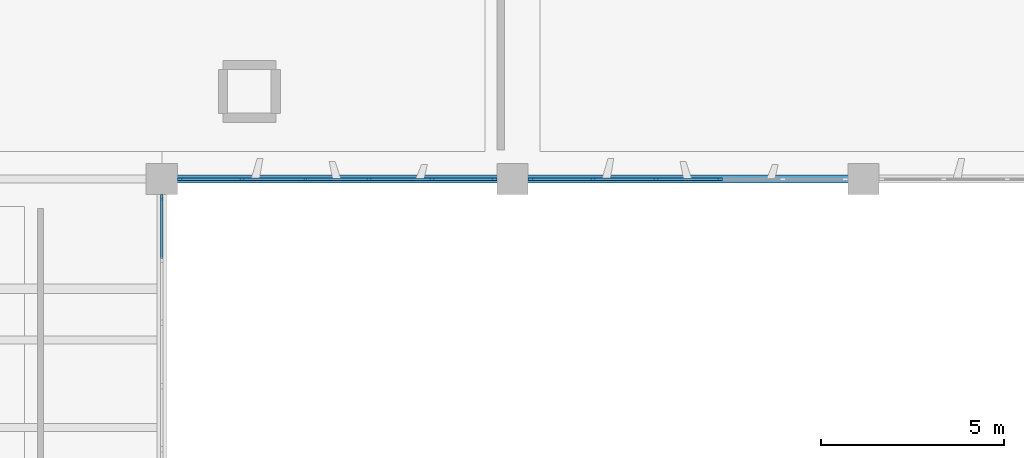
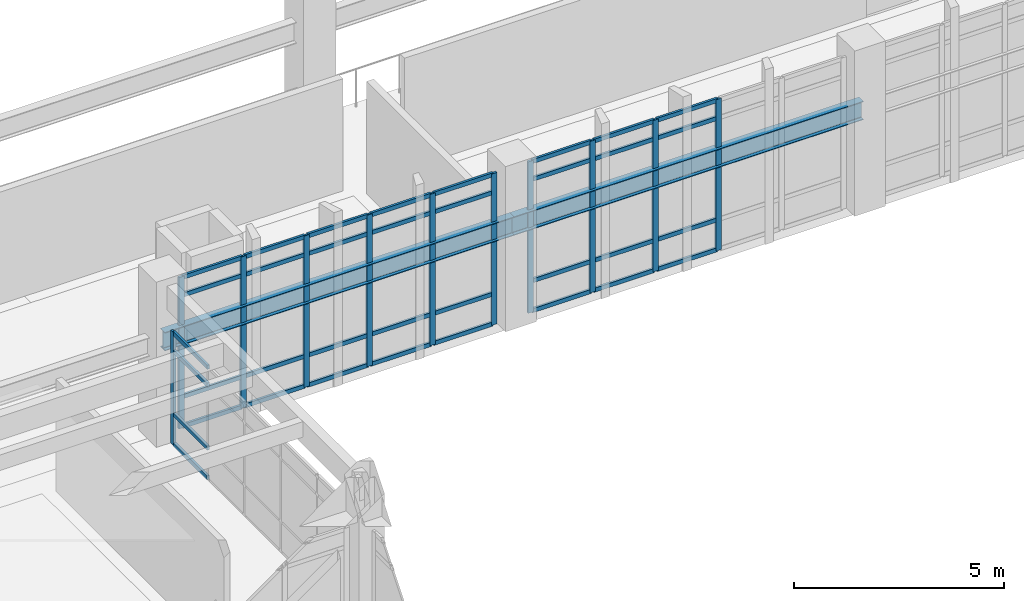
# One storey, part 23 of 86: 47 members, 2 beams, 3 elements without a shape of their own.
"""IFC4 building model written with IfcOpenShell, lengths in metres."""

from ifc_helpers import new_model, si_unit, direction, frame, origin, origin_2d, place, context, subcontext, project, spatial, rectangle, i_section, extrude, material, layer, layer_set, material_profile, profile_set, type_object, element, aggregate, save


model = new_model("IFC4")

# Units and contexts
model_context = context("Model", 3, precision=1e-05, world=origin(), true_north=direction((0.0, 1.0)))
body_context = subcontext(model_context, "Body", "Model", "MODEL_VIEW")
ifc_project = project(units=[si_unit("LENGTHUNIT", "METRE"), si_unit("AREAUNIT", "SQUARE_METRE"), si_unit("VOLUMEUNIT", "CUBIC_METRE"), si_unit("PLANEANGLEUNIT", "RADIAN"), si_unit("MASSUNIT", "GRAM", prefix="KILO")], contexts=[model_context])

# Site, building, storey
site_placement = place(None, origin())
site = spatial("IfcSite", under=ifc_project, at=site_placement, CompositionType="ELEMENT")
building_placement = place(site_placement, origin())
building = spatial("IfcBuilding", under=site, at=building_placement, Name="Kolvemor Railside Polytechnic", CompositionType="ELEMENT")
storey_placement = place(building_placement, frame((0.0, 0.0, 5.39990234375)))
storey = spatial("IfcBuildingStorey", under=building, at=storey_placement, Name="L01", CompositionType="ELEMENT", Elevation=5.39990234375)

# Beams
ifc_material_1 = material(Name="Steel S355", Category="steel")
ifc_material_profile_1 = material_profile(ifc_material_1, i_section(OverallWidth=0.2109375, OverallDepth=0.5390625, WebThickness=0.01171875, FlangeThickness=0.018798828125, FilletRadius=0.013916015625, at=origin_2d()), Name="W530x109")
ifc_profile_set_1 = profile_set([ifc_material_profile_1], Name="Steel S355")
beam_type = type_object("IfcBeamType", Name="BM-ST-CRANE2", PredefinedType="BEAM", material=ifc_profile_set_1)
beam_1_placement = place(storey_placement, frame((48.0, 91.199951171875, 2.730712890625), z_axis=(1.0, 0.0, 0.0), x_axis=(0.0, 1.0, 0.0)))
element("IfcBeam", 1, at=beam_1_placement, inside=storey, type_object=beam_type, Name="Workshop Header Steel Girder CRG-G04", PredefinedType="BEAM", context=body_context, shape_type="SweptSolid", body=[
    extrude(i_section(OverallWidth=0.2109375, OverallDepth=0.5390625, WebThickness=0.01171875, FlangeThickness=0.018798828125, FilletRadius=0.013916015625, at=origin_2d()), origin(), (0.0, 0.0, 1.0), 9.60009765625),
])
beam_2_placement = place(storey_placement, frame((57.60009765625, 91.199951171875, 2.730712890625), z_axis=(1.0, 0.0, 0.0), x_axis=(0.0, 1.0, 0.0)))
element("IfcBeam", 2, at=beam_2_placement, inside=storey, type_object=beam_type, Name="Workshop Header Steel Girder CRG-G05", PredefinedType="BEAM", context=body_context, shape_type="SweptSolid", body=[
    extrude(i_section(OverallWidth=0.2109375, OverallDepth=0.5390625, WebThickness=0.01171875, FlangeThickness=0.018798828125, FilletRadius=0.013916015625, at=origin_2d()), origin(), (0.0, 0.0, 1.0), 9.599853515625),
])

# Curtain wall, members
ifc_material_2 = material(Name="Anodised marine aluminium and laminated low-E glass", Category="aluminium")
ifc_layer_1 = layer(ifc_material_2, 0.179931640625, Name="CW-UNIT-WKS")
ifc_layer_set_1 = layer_set([ifc_layer_1], Name="Anodised marine aluminium and laminated low-E glass")
curtain_wall_type_1 = type_object("IfcCurtainWallType", Name="CW-UNIT-WKS", PredefinedType="USERDEFINED", material=ifc_layer_set_1)
curtain_wall_1_placement = place(storey_placement, origin())
curtain_wall_1 = element("IfcCurtainWall", 3, at=curtain_wall_1_placement, inside=storey, type_object=curtain_wall_type_1, Name="Curtain Wall L01-006", ObjectType="UNITISED CURTAIN WALL", PredefinedType="USERDEFINED")
ifc_material_3 = material(Name="Anodised marine aluminium 6063-T6", Category="aluminium")
ifc_material_profile_2 = material_profile(ifc_material_3, rectangle(XDim=0.06494140625, YDim=0.14990234375, at=origin_2d()), Name="CW-MUL-65x150")
ifc_profile_set_2 = profile_set([ifc_material_profile_2], Name="Anodised marine aluminium 6063-T6")
member_type_1 = type_object("IfcMemberType", Name="CWM-65x150", PredefinedType="MULLION", material=ifc_profile_set_2)
member_1_placement = place(storey_placement, frame((48.50244140625, 91.199951171875, 0.0), z_axis=(0.0, 0.0, 1.0), x_axis=(0.0, 1.0, 0.0)))
member_1 = element("IfcMember", 4, at=member_1_placement, type_object=member_type_1, Name="CW-WKS mullion 1", PredefinedType="MULLION", context=body_context, shape_type="SweptSolid", body=[
    extrude(rectangle(XDim=0.06494140625, YDim=0.14990234375, at=origin_2d()), origin(), (0.0, 0.0, 1.0), 4.400146484375),
])
member_2_placement = place(storey_placement, frame((50.201904296875, 91.199951171875, 0.0), z_axis=(0.0, 0.0, 1.0), x_axis=(0.0, 1.0, 0.0)))
member_2 = element("IfcMember", 5, at=member_2_placement, type_object=member_type_1, Name="CW-WKS mullion 2", PredefinedType="MULLION", context=body_context, shape_type="SweptSolid", body=[
    extrude(rectangle(XDim=0.06494140625, YDim=0.14990234375, at=origin_2d()), origin(), (0.0, 0.0, 1.0), 4.400146484375),
])
member_3_placement = place(storey_placement, frame((51.93408203125, 91.199951171875, 0.0), z_axis=(0.0, 0.0, 1.0), x_axis=(0.0, 1.0, 0.0)))
member_3 = element("IfcMember", 6, at=member_3_placement, type_object=member_type_1, Name="CW-WKS mullion 3", PredefinedType="MULLION", context=body_context, shape_type="SweptSolid", body=[
    extrude(rectangle(XDim=0.06494140625, YDim=0.14990234375, at=origin_2d()), origin(), (0.0, 0.0, 1.0), 4.400146484375),
])
member_4_placement = place(storey_placement, frame((53.666015625, 91.199951171875, 0.0), z_axis=(0.0, 0.0, 1.0), x_axis=(0.0, 1.0, 0.0)))
member_4 = element("IfcMember", 7, at=member_4_placement, type_object=member_type_1, Name="CW-WKS mullion 4", PredefinedType="MULLION", context=body_context, shape_type="SweptSolid", body=[
    extrude(rectangle(XDim=0.06494140625, YDim=0.14990234375, at=origin_2d()), origin(), (0.0, 0.0, 1.0), 4.400146484375),
])
member_5_placement = place(storey_placement, frame((55.39794921875, 91.199951171875, 0.0), z_axis=(0.0, 0.0, 1.0), x_axis=(0.0, 1.0, 0.0)))
member_5 = element("IfcMember", 8, at=member_5_placement, type_object=member_type_1, Name="CW-WKS mullion 5", PredefinedType="MULLION", context=body_context, shape_type="SweptSolid", body=[
    extrude(rectangle(XDim=0.06494140625, YDim=0.14990234375, at=origin_2d()), origin(), (0.0, 0.0, 1.0), 4.400146484375),
])
member_6_placement = place(storey_placement, frame((57.097412109375, 91.199951171875, 0.0), z_axis=(0.0, 0.0, 1.0), x_axis=(0.0, 1.0, 0.0)))
member_6 = element("IfcMember", 9, at=member_6_placement, type_object=member_type_1, Name="CW-WKS mullion 6", PredefinedType="MULLION", context=body_context, shape_type="SweptSolid", body=[
    extrude(rectangle(XDim=0.06494140625, YDim=0.14990234375, at=origin_2d()), origin(), (0.0, 0.0, 1.0), 4.400146484375),
])

curtain_wall_2_placement = place(storey_placement, origin())
curtain_wall_2 = element("IfcCurtainWall", 10, at=curtain_wall_2_placement, inside=storey, type_object=curtain_wall_type_1, Name="Curtain Wall L01-009", ObjectType="UNITISED CURTAIN WALL", PredefinedType="USERDEFINED")
member_7_placement = place(storey_placement, frame((58.1025390625, 91.199951171875, 0.0), z_axis=(0.0, 0.0, 1.0), x_axis=(0.0, 1.0, 0.0)))
member_7 = element("IfcMember", 11, at=member_7_placement, type_object=member_type_1, Name="CW-WKS mullion 1", PredefinedType="MULLION", context=body_context, shape_type="SweptSolid", body=[
    extrude(rectangle(XDim=0.06494140625, YDim=0.14990234375, at=origin_2d()), origin(), (0.0, 0.0, 1.0), 4.400146484375),
])
member_8_placement = place(storey_placement, frame((59.802001953125, 91.199951171875, 0.0), z_axis=(0.0, 0.0, 1.0), x_axis=(0.0, 1.0, 0.0)))
member_8 = element("IfcMember", 12, at=member_8_placement, type_object=member_type_1, Name="CW-WKS mullion 2", PredefinedType="MULLION", context=body_context, shape_type="SweptSolid", body=[
    extrude(rectangle(XDim=0.06494140625, YDim=0.14990234375, at=origin_2d()), origin(), (0.0, 0.0, 1.0), 4.400146484375),
])
member_9_placement = place(storey_placement, frame((61.533935546875, 91.199951171875, 0.0), z_axis=(0.0, 0.0, 1.0), x_axis=(0.0, 1.0, 0.0)))
member_9 = element("IfcMember", 13, at=member_9_placement, type_object=member_type_1, Name="CW-WKS mullion 3", PredefinedType="MULLION", context=body_context, shape_type="SweptSolid", body=[
    extrude(rectangle(XDim=0.06494140625, YDim=0.14990234375, at=origin_2d()), origin(), (0.0, 0.0, 1.0), 4.400146484375),
])
member_10_placement = place(storey_placement, frame((63.26611328125, 91.199951171875, 0.0), z_axis=(0.0, 0.0, 1.0), x_axis=(0.0, 1.0, 0.0)))
member_10 = element("IfcMember", 14, at=member_10_placement, type_object=member_type_1, Name="CW-WKS mullion 4", PredefinedType="MULLION", context=body_context, shape_type="SweptSolid", body=[
    extrude(rectangle(XDim=0.06494140625, YDim=0.14990234375, at=origin_2d()), origin(), (0.0, 0.0, 1.0), 4.400146484375),
])

# Curtain wall, member
ifc_material_4 = material(Name="Anodised marine aluminium and laminated low-E glass", Category="aluminium")
ifc_layer_2 = layer(ifc_material_4, 0.179931640625, Name="CW-UNIT-STD")
ifc_layer_set_2 = layer_set([ifc_layer_2], Name="Anodised marine aluminium and laminated low-E glass")
curtain_wall_type_2 = type_object("IfcCurtainWallType", Name="CW-UNIT-STD", PredefinedType="USERDEFINED", material=ifc_layer_set_2)
curtain_wall_3_placement = place(storey_placement, origin())
curtain_wall_3 = element("IfcCurtainWall", 15, at=curtain_wall_3_placement, inside=storey, type_object=curtain_wall_type_2, Name="Curtain Wall L01-044", ObjectType="UNITISED CURTAIN WALL", PredefinedType="USERDEFINED")
member_11_placement = place(storey_placement, frame((48.0, 90.697509765625, 0.0), z_axis=(0.0, 0.0, 1.0), x_axis=(-1.0, 0.0, 0.0)))
member_11 = element("IfcMember", 16, at=member_11_placement, type_object=member_type_1, Name="CW-STD mullion 6", PredefinedType="MULLION", context=body_context, shape_type="SweptSolid", body=[
    extrude(rectangle(XDim=0.06494140625, YDim=0.14990234375, at=origin_2d()), origin(), (0.0, 0.0, 1.0), 3.280029296875),
])

# Member
ifc_material_5 = material(Name="Anodised marine aluminium 6063-T6", Category="aluminium")
ifc_material_profile_3 = material_profile(ifc_material_5, rectangle(XDim=0.06494140625, YDim=0.1201171875, at=origin_2d()), Name="CW-TRN-65x120")
ifc_profile_set_3 = profile_set([ifc_material_profile_3], Name="Anodised marine aluminium 6063-T6")
member_type_2 = type_object("IfcMemberType", Name="CWT-65x120", PredefinedType="USERDEFINED", material=ifc_profile_set_3)
member_12_placement = place(storey_placement, frame((48.534912109375, 91.199951171875, 0.03271484375), z_axis=(1.0, 0.0, 0.0), x_axis=(0.0, 1.0, 0.0)))
member_12 = element("IfcMember", 17, at=member_12_placement, type_object=member_type_2, Name="CW-WKS transom 1.1", ObjectType="TRANSOM", PredefinedType="USERDEFINED", context=body_context, shape_type="SweptSolid", body=[
    extrude(rectangle(XDim=0.06494140625, YDim=0.1201171875, at=origin_2d()), origin(), (0.0, 0.0, 1.0), 1.634521484375),
])

member_13_placement = place(storey_placement, frame((48.534912109375, 91.199951171875, 0.900146484375), z_axis=(1.0, 0.0, 0.0), x_axis=(0.0, 1.0, 0.0)))
member_13 = element("IfcMember", 18, at=member_13_placement, type_object=member_type_2, Name="CW-WKS transom 1.2", ObjectType="TRANSOM", PredefinedType="USERDEFINED", context=body_context, shape_type="SweptSolid", body=[
    extrude(rectangle(XDim=0.06494140625, YDim=0.1201171875, at=origin_2d()), origin(), (0.0, 0.0, 1.0), 1.634521484375),
])

member_14_placement = place(storey_placement, frame((48.534912109375, 91.199951171875, 3.85009765625), z_axis=(1.0, 0.0, 0.0), x_axis=(0.0, 1.0, 0.0)))
member_14 = element("IfcMember", 19, at=member_14_placement, type_object=member_type_2, Name="CW-WKS transom 1.3", ObjectType="TRANSOM", PredefinedType="USERDEFINED", context=body_context, shape_type="SweptSolid", body=[
    extrude(rectangle(XDim=0.06494140625, YDim=0.1201171875, at=origin_2d()), origin(), (0.0, 0.0, 1.0), 1.634521484375),
])

member_15_placement = place(storey_placement, frame((48.534912109375, 91.199951171875, 4.36767578125), z_axis=(1.0, 0.0, 0.0), x_axis=(0.0, 1.0, 0.0)))
member_15 = element("IfcMember", 20, at=member_15_placement, type_object=member_type_2, Name="CW-WKS transom 1.4", ObjectType="TRANSOM", PredefinedType="USERDEFINED", context=body_context, shape_type="SweptSolid", body=[
    extrude(rectangle(XDim=0.06494140625, YDim=0.1201171875, at=origin_2d()), origin(), (0.0, 0.0, 1.0), 1.634521484375),
])

member_16_placement = place(storey_placement, frame((50.234619140625, 91.199951171875, 0.03271484375), z_axis=(1.0, 0.0, 0.0), x_axis=(0.0, 1.0, 0.0)))
member_16 = element("IfcMember", 21, at=member_16_placement, type_object=member_type_2, Name="CW-WKS transom 2.1", ObjectType="TRANSOM", PredefinedType="USERDEFINED", context=body_context, shape_type="SweptSolid", body=[
    extrude(rectangle(XDim=0.06494140625, YDim=0.1201171875, at=origin_2d()), origin(), (0.0, 0.0, 1.0), 1.6669921875),
])

member_17_placement = place(storey_placement, frame((50.234619140625, 91.199951171875, 0.900146484375), z_axis=(1.0, 0.0, 0.0), x_axis=(0.0, 1.0, 0.0)))
member_17 = element("IfcMember", 22, at=member_17_placement, type_object=member_type_2, Name="CW-WKS transom 2.2", ObjectType="TRANSOM", PredefinedType="USERDEFINED", context=body_context, shape_type="SweptSolid", body=[
    extrude(rectangle(XDim=0.06494140625, YDim=0.1201171875, at=origin_2d()), origin(), (0.0, 0.0, 1.0), 1.6669921875),
])

member_18_placement = place(storey_placement, frame((50.234619140625, 91.199951171875, 3.85009765625), z_axis=(1.0, 0.0, 0.0), x_axis=(0.0, 1.0, 0.0)))
member_18 = element("IfcMember", 23, at=member_18_placement, type_object=member_type_2, Name="CW-WKS transom 2.3", ObjectType="TRANSOM", PredefinedType="USERDEFINED", context=body_context, shape_type="SweptSolid", body=[
    extrude(rectangle(XDim=0.06494140625, YDim=0.1201171875, at=origin_2d()), origin(), (0.0, 0.0, 1.0), 1.6669921875),
])

member_19_placement = place(storey_placement, frame((50.234619140625, 91.199951171875, 4.36767578125), z_axis=(1.0, 0.0, 0.0), x_axis=(0.0, 1.0, 0.0)))
member_19 = element("IfcMember", 24, at=member_19_placement, type_object=member_type_2, Name="CW-WKS transom 2.4", ObjectType="TRANSOM", PredefinedType="USERDEFINED", context=body_context, shape_type="SweptSolid", body=[
    extrude(rectangle(XDim=0.06494140625, YDim=0.1201171875, at=origin_2d()), origin(), (0.0, 0.0, 1.0), 1.6669921875),
])

member_20_placement = place(storey_placement, frame((51.966552734375, 91.199951171875, 0.03271484375), z_axis=(1.0, 0.0, 0.0), x_axis=(0.0, 1.0, 0.0)))
member_20 = element("IfcMember", 25, at=member_20_placement, type_object=member_type_2, Name="CW-WKS transom 3.1", ObjectType="TRANSOM", PredefinedType="USERDEFINED", context=body_context, shape_type="SweptSolid", body=[
    extrude(rectangle(XDim=0.06494140625, YDim=0.1201171875, at=origin_2d()), origin(), (0.0, 0.0, 1.0), 1.6669921875),
])

member_21_placement = place(storey_placement, frame((51.966552734375, 91.199951171875, 0.900146484375), z_axis=(1.0, 0.0, 0.0), x_axis=(0.0, 1.0, 0.0)))
member_21 = element("IfcMember", 26, at=member_21_placement, type_object=member_type_2, Name="CW-WKS transom 3.2", ObjectType="TRANSOM", PredefinedType="USERDEFINED", context=body_context, shape_type="SweptSolid", body=[
    extrude(rectangle(XDim=0.06494140625, YDim=0.1201171875, at=origin_2d()), origin(), (0.0, 0.0, 1.0), 1.6669921875),
])

member_22_placement = place(storey_placement, frame((51.966552734375, 91.199951171875, 3.85009765625), z_axis=(1.0, 0.0, 0.0), x_axis=(0.0, 1.0, 0.0)))
member_22 = element("IfcMember", 27, at=member_22_placement, type_object=member_type_2, Name="CW-WKS transom 3.3", ObjectType="TRANSOM", PredefinedType="USERDEFINED", context=body_context, shape_type="SweptSolid", body=[
    extrude(rectangle(XDim=0.06494140625, YDim=0.1201171875, at=origin_2d()), origin(), (0.0, 0.0, 1.0), 1.6669921875),
])

member_23_placement = place(storey_placement, frame((51.966552734375, 91.199951171875, 4.36767578125), z_axis=(1.0, 0.0, 0.0), x_axis=(0.0, 1.0, 0.0)))
member_23 = element("IfcMember", 28, at=member_23_placement, type_object=member_type_2, Name="CW-WKS transom 3.4", ObjectType="TRANSOM", PredefinedType="USERDEFINED", context=body_context, shape_type="SweptSolid", body=[
    extrude(rectangle(XDim=0.06494140625, YDim=0.1201171875, at=origin_2d()), origin(), (0.0, 0.0, 1.0), 1.6669921875),
])

member_24_placement = place(storey_placement, frame((53.698486328125, 91.199951171875, 0.03271484375), z_axis=(1.0, 0.0, 0.0), x_axis=(0.0, 1.0, 0.0)))
member_24 = element("IfcMember", 29, at=member_24_placement, type_object=member_type_2, Name="CW-WKS transom 4.1", ObjectType="TRANSOM", PredefinedType="USERDEFINED", context=body_context, shape_type="SweptSolid", body=[
    extrude(rectangle(XDim=0.06494140625, YDim=0.1201171875, at=origin_2d()), origin(), (0.0, 0.0, 1.0), 1.6669921875),
])

member_25_placement = place(storey_placement, frame((53.698486328125, 91.199951171875, 0.900146484375), z_axis=(1.0, 0.0, 0.0), x_axis=(0.0, 1.0, 0.0)))
member_25 = element("IfcMember", 30, at=member_25_placement, type_object=member_type_2, Name="CW-WKS transom 4.2", ObjectType="TRANSOM", PredefinedType="USERDEFINED", context=body_context, shape_type="SweptSolid", body=[
    extrude(rectangle(XDim=0.06494140625, YDim=0.1201171875, at=origin_2d()), origin(), (0.0, 0.0, 1.0), 1.6669921875),
])

member_26_placement = place(storey_placement, frame((53.698486328125, 91.199951171875, 3.85009765625), z_axis=(1.0, 0.0, 0.0), x_axis=(0.0, 1.0, 0.0)))
member_26 = element("IfcMember", 31, at=member_26_placement, type_object=member_type_2, Name="CW-WKS transom 4.3", ObjectType="TRANSOM", PredefinedType="USERDEFINED", context=body_context, shape_type="SweptSolid", body=[
    extrude(rectangle(XDim=0.06494140625, YDim=0.1201171875, at=origin_2d()), origin(), (0.0, 0.0, 1.0), 1.6669921875),
])

member_27_placement = place(storey_placement, frame((53.698486328125, 91.199951171875, 4.36767578125), z_axis=(1.0, 0.0, 0.0), x_axis=(0.0, 1.0, 0.0)))
member_27 = element("IfcMember", 32, at=member_27_placement, type_object=member_type_2, Name="CW-WKS transom 4.4", ObjectType="TRANSOM", PredefinedType="USERDEFINED", context=body_context, shape_type="SweptSolid", body=[
    extrude(rectangle(XDim=0.06494140625, YDim=0.1201171875, at=origin_2d()), origin(), (0.0, 0.0, 1.0), 1.6669921875),
])

member_28_placement = place(storey_placement, frame((55.430419921875, 91.199951171875, 0.03271484375), z_axis=(1.0, 0.0, 0.0), x_axis=(0.0, 1.0, 0.0)))
member_28 = element("IfcMember", 33, at=member_28_placement, type_object=member_type_2, Name="CW-WKS transom 5.1", ObjectType="TRANSOM", PredefinedType="USERDEFINED", context=body_context, shape_type="SweptSolid", body=[
    extrude(rectangle(XDim=0.06494140625, YDim=0.1201171875, at=origin_2d()), origin(), (0.0, 0.0, 1.0), 1.634521484375),
])

member_29_placement = place(storey_placement, frame((55.430419921875, 91.199951171875, 0.900146484375), z_axis=(1.0, 0.0, 0.0), x_axis=(0.0, 1.0, 0.0)))
member_29 = element("IfcMember", 34, at=member_29_placement, type_object=member_type_2, Name="CW-WKS transom 5.2", ObjectType="TRANSOM", PredefinedType="USERDEFINED", context=body_context, shape_type="SweptSolid", body=[
    extrude(rectangle(XDim=0.06494140625, YDim=0.1201171875, at=origin_2d()), origin(), (0.0, 0.0, 1.0), 1.634521484375),
])

member_30_placement = place(storey_placement, frame((55.430419921875, 91.199951171875, 3.85009765625), z_axis=(1.0, 0.0, 0.0), x_axis=(0.0, 1.0, 0.0)))
member_30 = element("IfcMember", 35, at=member_30_placement, type_object=member_type_2, Name="CW-WKS transom 5.3", ObjectType="TRANSOM", PredefinedType="USERDEFINED", context=body_context, shape_type="SweptSolid", body=[
    extrude(rectangle(XDim=0.06494140625, YDim=0.1201171875, at=origin_2d()), origin(), (0.0, 0.0, 1.0), 1.634521484375),
])

member_31_placement = place(storey_placement, frame((55.430419921875, 91.199951171875, 4.36767578125), z_axis=(1.0, 0.0, 0.0), x_axis=(0.0, 1.0, 0.0)))
member_31 = element("IfcMember", 36, at=member_31_placement, type_object=member_type_2, Name="CW-WKS transom 5.4", ObjectType="TRANSOM", PredefinedType="USERDEFINED", context=body_context, shape_type="SweptSolid", body=[
    extrude(rectangle(XDim=0.06494140625, YDim=0.1201171875, at=origin_2d()), origin(), (0.0, 0.0, 1.0), 1.634521484375),
])

aggregate(curtain_wall_1, [member_1, member_2, member_3, member_4, member_5, member_6, member_12, member_13, member_14, member_15, member_16, member_17, member_18, member_19, member_20, member_21, member_22, member_23, member_24, member_25, member_26, member_27, member_28, member_29, member_30, member_31])

member_32_placement = place(storey_placement, frame((58.135009765625, 91.199951171875, 0.03271484375), z_axis=(1.0, 0.0, 0.0), x_axis=(0.0, 1.0, 0.0)))
member_32 = element("IfcMember", 37, at=member_32_placement, type_object=member_type_2, Name="CW-WKS transom 1.1", ObjectType="TRANSOM", PredefinedType="USERDEFINED", context=body_context, shape_type="SweptSolid", body=[
    extrude(rectangle(XDim=0.06494140625, YDim=0.1201171875, at=origin_2d()), origin(), (0.0, 0.0, 1.0), 1.634521484375),
])

member_33_placement = place(storey_placement, frame((58.135009765625, 91.199951171875, 0.900146484375), z_axis=(1.0, 0.0, 0.0), x_axis=(0.0, 1.0, 0.0)))
member_33 = element("IfcMember", 38, at=member_33_placement, type_object=member_type_2, Name="CW-WKS transom 1.2", ObjectType="TRANSOM", PredefinedType="USERDEFINED", context=body_context, shape_type="SweptSolid", body=[
    extrude(rectangle(XDim=0.06494140625, YDim=0.1201171875, at=origin_2d()), origin(), (0.0, 0.0, 1.0), 1.634521484375),
])

member_34_placement = place(storey_placement, frame((58.135009765625, 91.199951171875, 3.85009765625), z_axis=(1.0, 0.0, 0.0), x_axis=(0.0, 1.0, 0.0)))
member_34 = element("IfcMember", 39, at=member_34_placement, type_object=member_type_2, Name="CW-WKS transom 1.3", ObjectType="TRANSOM", PredefinedType="USERDEFINED", context=body_context, shape_type="SweptSolid", body=[
    extrude(rectangle(XDim=0.06494140625, YDim=0.1201171875, at=origin_2d()), origin(), (0.0, 0.0, 1.0), 1.634521484375),
])

member_35_placement = place(storey_placement, frame((58.135009765625, 91.199951171875, 4.36767578125), z_axis=(1.0, 0.0, 0.0), x_axis=(0.0, 1.0, 0.0)))
member_35 = element("IfcMember", 40, at=member_35_placement, type_object=member_type_2, Name="CW-WKS transom 1.4", ObjectType="TRANSOM", PredefinedType="USERDEFINED", context=body_context, shape_type="SweptSolid", body=[
    extrude(rectangle(XDim=0.06494140625, YDim=0.1201171875, at=origin_2d()), origin(), (0.0, 0.0, 1.0), 1.634521484375),
])

member_36_placement = place(storey_placement, frame((59.83447265625, 91.199951171875, 0.03271484375), z_axis=(1.0, 0.0, 0.0), x_axis=(0.0, 1.0, 0.0)))
member_36 = element("IfcMember", 41, at=member_36_placement, type_object=member_type_2, Name="CW-WKS transom 2.1", ObjectType="TRANSOM", PredefinedType="USERDEFINED", context=body_context, shape_type="SweptSolid", body=[
    extrude(rectangle(XDim=0.06494140625, YDim=0.1201171875, at=origin_2d()), origin(), (0.0, 0.0, 1.0), 1.6669921875),
])

member_37_placement = place(storey_placement, frame((59.83447265625, 91.199951171875, 0.900146484375), z_axis=(1.0, 0.0, 0.0), x_axis=(0.0, 1.0, 0.0)))
member_37 = element("IfcMember", 42, at=member_37_placement, type_object=member_type_2, Name="CW-WKS transom 2.2", ObjectType="TRANSOM", PredefinedType="USERDEFINED", context=body_context, shape_type="SweptSolid", body=[
    extrude(rectangle(XDim=0.06494140625, YDim=0.1201171875, at=origin_2d()), origin(), (0.0, 0.0, 1.0), 1.6669921875),
])

member_38_placement = place(storey_placement, frame((59.83447265625, 91.199951171875, 3.85009765625), z_axis=(1.0, 0.0, 0.0), x_axis=(0.0, 1.0, 0.0)))
member_38 = element("IfcMember", 43, at=member_38_placement, type_object=member_type_2, Name="CW-WKS transom 2.3", ObjectType="TRANSOM", PredefinedType="USERDEFINED", context=body_context, shape_type="SweptSolid", body=[
    extrude(rectangle(XDim=0.06494140625, YDim=0.1201171875, at=origin_2d()), origin(), (0.0, 0.0, 1.0), 1.6669921875),
])

member_39_placement = place(storey_placement, frame((59.83447265625, 91.199951171875, 4.36767578125), z_axis=(1.0, 0.0, 0.0), x_axis=(0.0, 1.0, 0.0)))
member_39 = element("IfcMember", 44, at=member_39_placement, type_object=member_type_2, Name="CW-WKS transom 2.4", ObjectType="TRANSOM", PredefinedType="USERDEFINED", context=body_context, shape_type="SweptSolid", body=[
    extrude(rectangle(XDim=0.06494140625, YDim=0.1201171875, at=origin_2d()), origin(), (0.0, 0.0, 1.0), 1.6669921875),
])

member_40_placement = place(storey_placement, frame((61.56640625, 91.199951171875, 0.03271484375), z_axis=(1.0, 0.0, 0.0), x_axis=(0.0, 1.0, 0.0)))
member_40 = element("IfcMember", 45, at=member_40_placement, type_object=member_type_2, Name="CW-WKS transom 3.1", ObjectType="TRANSOM", PredefinedType="USERDEFINED", context=body_context, shape_type="SweptSolid", body=[
    extrude(rectangle(XDim=0.06494140625, YDim=0.1201171875, at=origin_2d()), origin(), (0.0, 0.0, 1.0), 1.6669921875),
])

member_41_placement = place(storey_placement, frame((61.56640625, 91.199951171875, 0.900146484375), z_axis=(1.0, 0.0, 0.0), x_axis=(0.0, 1.0, 0.0)))
member_41 = element("IfcMember", 46, at=member_41_placement, type_object=member_type_2, Name="CW-WKS transom 3.2", ObjectType="TRANSOM", PredefinedType="USERDEFINED", context=body_context, shape_type="SweptSolid", body=[
    extrude(rectangle(XDim=0.06494140625, YDim=0.1201171875, at=origin_2d()), origin(), (0.0, 0.0, 1.0), 1.6669921875),
])

member_42_placement = place(storey_placement, frame((61.56640625, 91.199951171875, 3.85009765625), z_axis=(1.0, 0.0, 0.0), x_axis=(0.0, 1.0, 0.0)))
member_42 = element("IfcMember", 47, at=member_42_placement, type_object=member_type_2, Name="CW-WKS transom 3.3", ObjectType="TRANSOM", PredefinedType="USERDEFINED", context=body_context, shape_type="SweptSolid", body=[
    extrude(rectangle(XDim=0.06494140625, YDim=0.1201171875, at=origin_2d()), origin(), (0.0, 0.0, 1.0), 1.6669921875),
])

member_43_placement = place(storey_placement, frame((61.56640625, 91.199951171875, 4.36767578125), z_axis=(1.0, 0.0, 0.0), x_axis=(0.0, 1.0, 0.0)))
member_43 = element("IfcMember", 48, at=member_43_placement, type_object=member_type_2, Name="CW-WKS transom 3.4", ObjectType="TRANSOM", PredefinedType="USERDEFINED", context=body_context, shape_type="SweptSolid", body=[
    extrude(rectangle(XDim=0.06494140625, YDim=0.1201171875, at=origin_2d()), origin(), (0.0, 0.0, 1.0), 1.6669921875),
])

aggregate(curtain_wall_2, [member_7, member_8, member_9, member_10, member_32, member_33, member_34, member_35, member_36, member_37, member_38, member_39, member_40, member_41, member_42, member_43])

member_44_placement = place(storey_placement, frame((48.0, 89.030517578125, 0.03271484375), z_axis=(0.0, 1.0, 0.0), x_axis=(-1.0, 0.0, 0.0)))
member_44 = element("IfcMember", 49, at=member_44_placement, type_object=member_type_2, Name="CW-STD transom 5.1", ObjectType="TRANSOM", PredefinedType="USERDEFINED", context=body_context, shape_type="SweptSolid", body=[
    extrude(rectangle(XDim=0.06494140625, YDim=0.1201171875, at=origin_2d()), origin(), (0.0, 0.0, 1.0), 1.634521484375),
])

member_45_placement = place(storey_placement, frame((48.0, 89.030517578125, 0.900146484375), z_axis=(0.0, 1.0, 0.0), x_axis=(-1.0, 0.0, 0.0)))
member_45 = element("IfcMember", 50, at=member_45_placement, type_object=member_type_2, Name="CW-STD transom 5.2", ObjectType="TRANSOM", PredefinedType="USERDEFINED", context=body_context, shape_type="SweptSolid", body=[
    extrude(rectangle(XDim=0.06494140625, YDim=0.1201171875, at=origin_2d()), origin(), (0.0, 0.0, 1.0), 1.634521484375),
])

member_46_placement = place(storey_placement, frame((48.0, 89.030517578125, 2.72998046875), z_axis=(0.0, 1.0, 0.0), x_axis=(-1.0, 0.0, 0.0)))
member_46 = element("IfcMember", 51, at=member_46_placement, type_object=member_type_2, Name="CW-STD transom 5.3", ObjectType="TRANSOM", PredefinedType="USERDEFINED", context=body_context, shape_type="SweptSolid", body=[
    extrude(rectangle(XDim=0.06494140625, YDim=0.1201171875, at=origin_2d()), origin(), (0.0, 0.0, 1.0), 1.634521484375),
])

member_47_placement = place(storey_placement, frame((48.0, 89.030517578125, 3.24755859375), z_axis=(0.0, 1.0, 0.0), x_axis=(-1.0, 0.0, 0.0)))
member_47 = element("IfcMember", 52, at=member_47_placement, type_object=member_type_2, Name="CW-STD transom 5.4", ObjectType="TRANSOM", PredefinedType="USERDEFINED", context=body_context, shape_type="SweptSolid", body=[
    extrude(rectangle(XDim=0.06494140625, YDim=0.1201171875, at=origin_2d()), origin(), (0.0, 0.0, 1.0), 1.634521484375),
])

aggregate(curtain_wall_3, [member_11, member_44, member_45, member_46, member_47])

save(model, "model.ifc")
